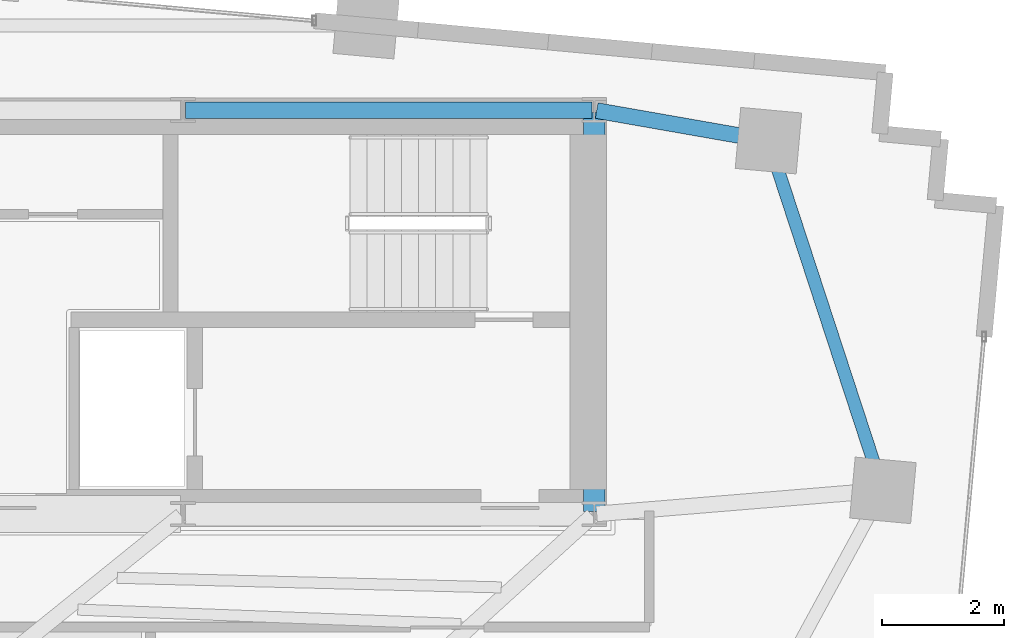
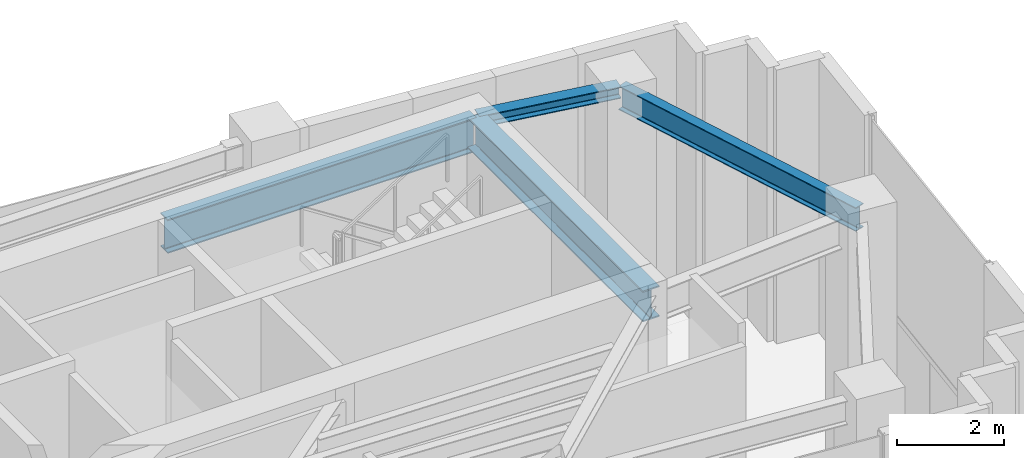
# One storey, part 9 of 14: 4 beams.
"""IFC4 building model written with IfcOpenShell, lengths in metres."""

from ifc_helpers import new_model, si_unit, direction, frame, origin, origin_2d, place, context, subcontext, project, spatial, i_section, extrude, source, transform, mapped, material, material_profile, profile_set, type_object, type_shapes, element, save


model = new_model("IFC4")

# Units and contexts
model_context = context("Model", 3, precision=1e-05, world=origin(), true_north=direction((0.0, 1.0)))
body_context = subcontext(model_context, "Body", "Model", "MODEL_VIEW")
ifc_project = project(units=[si_unit("LENGTHUNIT", "METRE"), si_unit("AREAUNIT", "SQUARE_METRE"), si_unit("VOLUMEUNIT", "CUBIC_METRE"), si_unit("PLANEANGLEUNIT", "RADIAN"), si_unit("MASSUNIT", "GRAM", prefix="KILO")], contexts=[model_context])

# Site, building, storey
site_placement = place(None, origin())
site = spatial("IfcSite", under=ifc_project, at=site_placement, CompositionType="ELEMENT")
building_placement = place(site_placement, origin())
building = spatial("IfcBuilding", under=site, at=building_placement, Name="Astriad Promenade Condominiums", CompositionType="ELEMENT")
storey_placement = place(building_placement, frame((0.0, 0.0, 270.800048828125)))
storey = spatial("IfcBuildingStorey", under=building, at=storey_placement, Name="L77", CompositionType="ELEMENT", Elevation=270.800048828125)

# Beams
ifc_material = material(Name="Steel ASTM A992 Grade 50", Category="steel")
ifc_material_profile_1 = material_profile(ifc_material, i_section(OverallWidth=0.267822265625, OverallDepth=0.76953125, WebThickness=0.015625, FlangeThickness=0.025390625, FilletRadius=0.021484375, at=origin_2d()), Name="W30X132")
ifc_profile_set_1 = profile_set([ifc_material_profile_1], Name="Steel ASTM A992 Grade 50")
beam_type_1 = type_object("IfcBeamType", Name="STEEL FLOOR GIRDER W30X132", PredefinedType="BEAM", material=ifc_profile_set_1)
shared_shape_1 = source(origin(), body_context, "Body", "SweptSolid", [
    extrude(i_section(OverallWidth=0.267822265625, OverallDepth=0.76953125, WebThickness=0.015625, FlangeThickness=0.025390625, FilletRadius=0.021484375, at=origin_2d()), origin(), (0.0, 0.0, 1.0), 6.64013671875),
])
type_shapes(beam_type_1, [shared_shape_1])
beam_1_placement = place(storey_placement, frame((38.919921875, 24.0, 5.835205078125), z_axis=(1.0, 0.0, 0.0), x_axis=(0.0, 1.0, 0.0)))
element("IfcBeam", 1, at=beam_1_placement, inside=storey, type_object=beam_type_1, Name="Core Ring Beam CG-N3-L77", PredefinedType="BEAM", context=body_context, shape_type="MappedRepresentation", body=[
    mapped(shared_shape_1, transform((0.0, 0.0, 0.0), scale=1.0)),
])
ifc_material_profile_2 = material_profile(ifc_material, i_section(OverallWidth=0.35791015625, OverallDepth=0.706298828125, WebThickness=0.018310546875, FlangeThickness=0.0302734375, FilletRadius=0.020263671875, at=origin_2d()), Name="W27X178")
ifc_profile_set_2 = profile_set([ifc_material_profile_2], Name="Steel ASTM A992 Grade 50")
beam_type_2 = type_object("IfcBeamType", Name="STEEL FLOOR GIRDER W27X178", PredefinedType="BEAM", material=ifc_profile_set_2)
shared_shape_2 = source(origin(), body_context, "Body", "SweptSolid", [
    extrude(i_section(OverallWidth=0.35791015625, OverallDepth=0.706298828125, WebThickness=0.018310546875, FlangeThickness=0.0302734375, FilletRadius=0.020263671875, at=origin_2d()), origin(), (0.0, 0.0, 1.0), 6.52001953125),
])
type_shapes(beam_type_2, [shared_shape_2])
beam_2_placement = place(storey_placement, frame((45.60009765625, 17.43994140625, 5.86669921875), z_axis=(0.0, 1.0, 0.0), x_axis=(-1.0, 0.0, 0.0)))
element("IfcBeam", 2, at=beam_2_placement, inside=storey, type_object=beam_type_2, Name="Core Ring Beam CG-E1-L77", PredefinedType="BEAM", context=body_context, shape_type="MappedRepresentation", body=[
    mapped(shared_shape_2, transform((0.0, 0.0, 0.0), scale=1.0)),
])
ifc_material_profile_3 = material_profile(ifc_material, i_section(OverallWidth=0.210693359375, OverallDepth=0.53955078125, WebThickness=0.01171875, FlangeThickness=0.018798828125, FilletRadius=0.0166015625, at=origin_2d()), Name="W21X73")
ifc_profile_set_3 = profile_set([ifc_material_profile_3], Name="Steel ASTM A992 Grade 50")
beam_type_3 = type_object("IfcBeamType", Name="STEEL SPANDREL BEAM W21X73", PredefinedType="SPANDREL", material=ifc_profile_set_3)
shared_shape_3 = source(origin(), body_context, "Body", "SweptSolid", [
    extrude(i_section(OverallWidth=0.210693359375, OverallDepth=0.53955078125, WebThickness=0.01171875, FlangeThickness=0.018798828125, FilletRadius=0.0166015625, at=origin_2d()), origin(), (0.0, 0.0, 1.0), 5.93115234375),
])
type_shapes(beam_type_3, [shared_shape_3])
beam_3_placement = place(storey_placement, frame((50.303466796875, 17.825927734375, 5.9501953125), z_axis=(-0.311061368201, 0.950389828025, 0.0), x_axis=(-0.950389828025, -0.311061368201, 0.0)))
element("IfcBeam", 3, at=beam_3_placement, inside=storey, type_object=beam_type_3, Name="Perimeter Spandrel Beam SP-E2-L77", PredefinedType="SPANDREL", context=body_context, shape_type="MappedRepresentation", body=[
    mapped(shared_shape_3, transform((0.0, 0.0, 0.0), scale=1.0)),
])
ifc_material_profile_4 = material_profile(ifc_material, i_section(OverallWidth=0.25732421875, OverallDepth=0.26416015625, WebThickness=0.011962890625, FlangeThickness=0.01953125, FilletRadius=0.0126953125, at=origin_2d()), Name="W10X68")
ifc_profile_set_4 = profile_set([ifc_material_profile_4], Name="Steel ASTM A992 Grade 50")
beam_type_4 = type_object("IfcBeamType", Name="STEEL CANOPY BEAM W10X68", PredefinedType="BEAM", material=ifc_profile_set_4)
shared_shape_4 = source(origin(), body_context, "Body", "SweptSolid", [
    extrude(i_section(OverallWidth=0.25732421875, OverallDepth=0.26416015625, WebThickness=0.011962890625, FlangeThickness=0.01953125, FilletRadius=0.0126953125, at=origin_2d()), origin(), (0.0, 0.0, 1.0), 2.809326171875),
])
type_shapes(beam_type_4, [shared_shape_4])
beam_4_placement = place(storey_placement, frame((48.406494140625, 23.5078125, 6.087890625), z_axis=(-0.984963251782, 0.172763979578, 0.0), x_axis=(-0.172763979578, -0.984963251782, 0.0)))
element("IfcBeam", 4, at=beam_4_placement, inside=storey, type_object=beam_type_4, Name="Primary Floor Girder PG-NE-L77", PredefinedType="BEAM", context=body_context, shape_type="MappedRepresentation", body=[
    mapped(shared_shape_4, transform((0.0, 0.0, 0.0), scale=1.0)),
])

save(model, "model.ifc")
